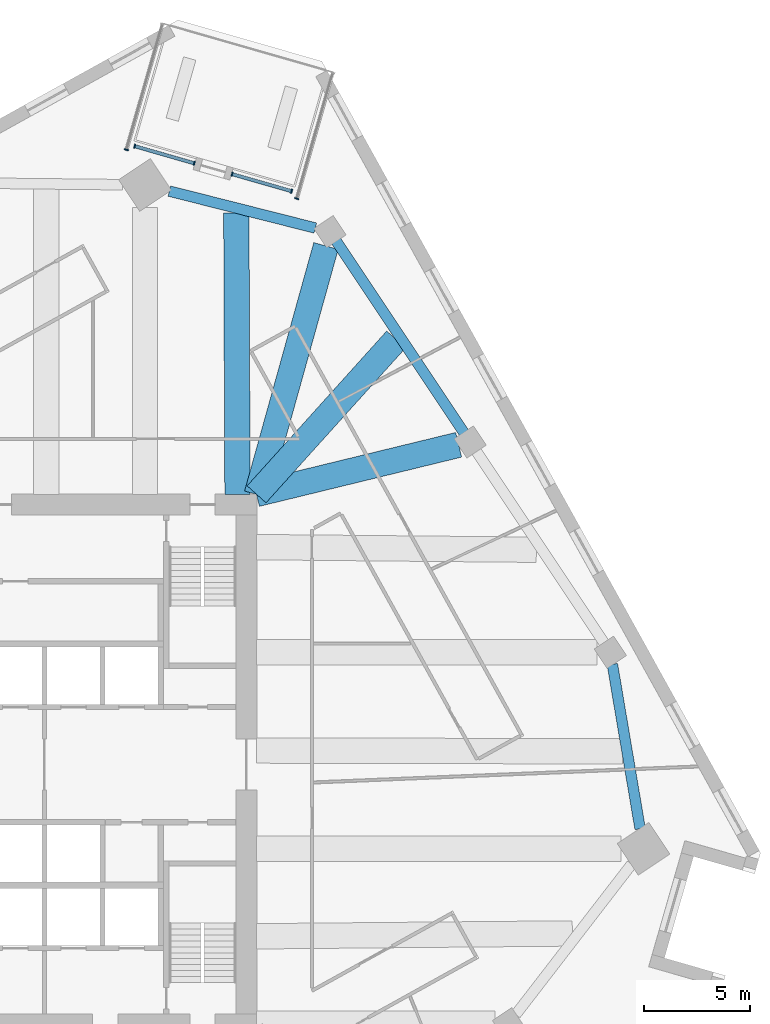
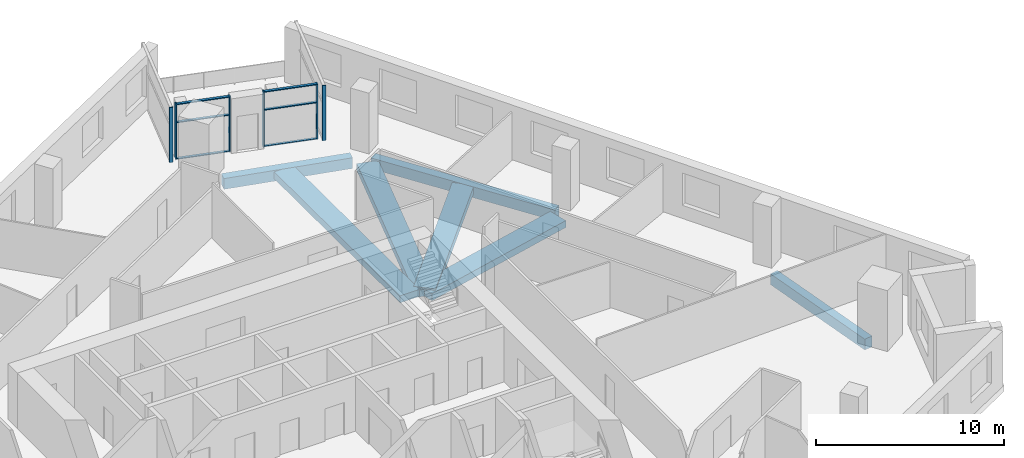
# One storey, part 2 of 12: 12 members, 7 beams, 4 elements without a shape of their own.
"""IFC4 building model written with IfcOpenShell, lengths in metres."""

from ifc_helpers import new_model, si_unit, direction, frame, origin, origin_2d, place, context, subcontext, project, spatial, rectangle, extrude, material, material_profile, profile_set, type_object, element, aggregate, save


model = new_model("IFC4")

# Units and contexts
model_context = context("Model", 3, precision=1e-05, world=origin(), true_north=direction((0.0, 1.0)))
body_context = subcontext(model_context, "Body", "Model", "MODEL_VIEW")
ifc_project = project(units=[si_unit("LENGTHUNIT", "METRE"), si_unit("AREAUNIT", "SQUARE_METRE"), si_unit("VOLUMEUNIT", "CUBIC_METRE"), si_unit("PLANEANGLEUNIT", "RADIAN"), si_unit("MASSUNIT", "GRAM", prefix="KILO")], contexts=[model_context])

# Site, building, storey
site_placement = place(None, origin())
site = spatial("IfcSite", under=ifc_project, at=site_placement, CompositionType="ELEMENT")
building_placement = place(site_placement, origin())
building = spatial("IfcBuilding", under=site, at=building_placement, Name="Dilmun Exchange Tower", CompositionType="ELEMENT")
storey_placement = place(building_placement, frame((0.0, 0.0, 139.699951171875)))
storey = spatial("IfcBuildingStorey", under=building, at=storey_placement, Name="L32", CompositionType="ELEMENT", Elevation=139.699951171875)

# Curtain wall, member
ifc_material_1 = material(Name="Anodised aluminium and clear glass", Category="aluminium")
curtain_wall_type = type_object("IfcCurtainWallType", Name="Garden corner glazing", PredefinedType="NOTDEFINED", material=ifc_material_1)
curtain_wall_1_placement = place(storey_placement, origin())
curtain_wall_1 = element("IfcCurtainWall", 1, at=curtain_wall_1_placement, inside=storey, type_object=curtain_wall_type, Name="Garden corner glazing run GC1.1", PredefinedType="NOTDEFINED")
ifc_material_2 = material(Name="Anodised aluminium", Category="aluminium")
ifc_material_profile_1 = material_profile(ifc_material_2, rectangle(XDim=0.199951171875, YDim=0.06005859375, at=origin_2d()), Name="AL 60x200")
ifc_profile_set_1 = profile_set([ifc_material_profile_1], Name="Anodised aluminium")
member_type_1 = type_object("IfcMemberType", Name="Garden corner glazing mullion 60 x 200", PredefinedType="MULLION", material=ifc_profile_set_1)
member_1_placement = place(storey_placement, frame((14.680908203125, 26.765625, 0.0), z_axis=(0.0, 0.0, 1.0), x_axis=(0.961263137899, -0.275632327054, 0.0)))
member_1 = element("IfcMember", 2, at=member_1_placement, type_object=member_type_1, Name="GC1.1 mullion 2", PredefinedType="MULLION", context=body_context, shape_type="SweptSolid", body=[
    extrude(rectangle(XDim=0.199951171875, YDim=0.06005859375, at=origin_2d()), origin(), (0.0, 0.0, 1.0), 3.60009765625),
])
aggregate(curtain_wall_1, [member_1])

# Curtain wall, members
curtain_wall_2_placement = place(storey_placement, origin())
curtain_wall_2 = element("IfcCurtainWall", 3, at=curtain_wall_2_placement, inside=storey, type_object=curtain_wall_type, Name="Garden corner glazing run GC2.1", PredefinedType="NOTDEFINED")
member_2_placement = place(storey_placement, frame((14.438232421875, 27.115966796875, 0.0), z_axis=(0.0, 0.0, 1.0), x_axis=(-0.275666563186, -0.96125332038, 0.0)))
member_2 = element("IfcMember", 4, at=member_2_placement, type_object=member_type_1, Name="GC2.1 mullion 1", PredefinedType="MULLION", context=body_context, shape_type="SweptSolid", body=[
    extrude(rectangle(XDim=0.199951171875, YDim=0.06005859375, at=origin_2d()), origin(), (0.0, 0.0, 1.0), 3.60009765625),
])
member_3_placement = place(storey_placement, frame((11.62255859375, 27.92333984375, 0.0), z_axis=(0.0, 0.0, 1.0), x_axis=(-0.275666563186, -0.96125332038, 0.0)))
member_3 = element("IfcMember", 5, at=member_3_placement, type_object=member_type_1, Name="GC2.1 mullion 2", PredefinedType="MULLION", context=body_context, shape_type="SweptSolid", body=[
    extrude(rectangle(XDim=0.199951171875, YDim=0.06005859375, at=origin_2d()), origin(), (0.0, 0.0, 1.0), 3.60009765625),
])

curtain_wall_3_placement = place(storey_placement, origin())
curtain_wall_3 = element("IfcCurtainWall", 6, at=curtain_wall_3_placement, inside=storey, type_object=curtain_wall_type, Name="Garden corner glazing run GC2.3", PredefinedType="NOTDEFINED")
member_4_placement = place(storey_placement, frame((9.83447265625, 28.43603515625, 0.0), z_axis=(0.0, 0.0, 1.0), x_axis=(-0.275635650366, -0.961262184967, 0.0)))
member_4 = element("IfcMember", 7, at=member_4_placement, type_object=member_type_1, Name="GC2.3 mullion 1", PredefinedType="MULLION", context=body_context, shape_type="SweptSolid", body=[
    extrude(rectangle(XDim=0.199951171875, YDim=0.06005859375, at=origin_2d()), origin(), (0.0, 0.0, 1.0), 3.60009765625),
])
member_5_placement = place(storey_placement, frame((7.01904296875, 29.243408203125, 0.0), z_axis=(0.0, 0.0, 1.0), x_axis=(-0.275635650366, -0.961262184967, 0.0)))
member_5 = element("IfcMember", 8, at=member_5_placement, type_object=member_type_1, Name="GC2.3 mullion 2", PredefinedType="MULLION", context=body_context, shape_type="SweptSolid", body=[
    extrude(rectangle(XDim=0.199951171875, YDim=0.06005859375, at=origin_2d()), origin(), (0.0, 0.0, 1.0), 3.60009765625),
])

# Curtain wall, member
curtain_wall_4_placement = place(storey_placement, origin())
curtain_wall_4 = element("IfcCurtainWall", 9, at=curtain_wall_4_placement, inside=storey, type_object=curtain_wall_type, Name="Garden corner glazing run GC3.1", PredefinedType="NOTDEFINED")
member_6_placement = place(storey_placement, frame((6.62744140625, 29.074951171875, 0.0), z_axis=(0.0, 0.0, 1.0), x_axis=(-0.961264354152, 0.275628085354, 0.0)))
member_6 = element("IfcMember", 10, at=member_6_placement, type_object=member_type_1, Name="GC3.1 mullion 1", PredefinedType="MULLION", context=body_context, shape_type="SweptSolid", body=[
    extrude(rectangle(XDim=0.199951171875, YDim=0.06005859375, at=origin_2d()), origin(), (0.0, 0.0, 1.0), 3.60009765625),
])
aggregate(curtain_wall_4, [member_6])

# Member
ifc_material_profile_2 = material_profile(ifc_material_2, rectangle(XDim=0.159912109375, YDim=0.06005859375, at=origin_2d()), Name="AL 60x160")
ifc_profile_set_2 = profile_set([ifc_material_profile_2], Name="Anodised aluminium")
member_type_2 = type_object("IfcMemberType", Name="Garden corner glazing transom 60 x 160", PredefinedType="USERDEFINED", material=ifc_profile_set_2)
member_7_placement = place(storey_placement, frame((14.409423828125, 27.124267578125, 0.030029296875), z_axis=(-0.961269871069, 0.275608844153, 0.0), x_axis=(-0.275608844153, -0.961269871069, 0.0)))
member_7 = element("IfcMember", 11, at=member_7_placement, type_object=member_type_2, Name="GC2.1 transom 1.1", ObjectType="TRANSOM", PredefinedType="USERDEFINED", context=body_context, shape_type="SweptSolid", body=[
    extrude(rectangle(XDim=0.159912109375, YDim=0.06005859375, at=origin_2d()), origin(), (0.0, 0.0, 1.0), 2.869140625),
])

member_8_placement = place(storey_placement, frame((14.409423828125, 27.124267578125, 2.400146484375), z_axis=(-0.961269871069, 0.275608844153, 0.0), x_axis=(-0.275608844153, -0.961269871069, 0.0)))
member_8 = element("IfcMember", 12, at=member_8_placement, type_object=member_type_2, Name="GC2.1 transom 1.2", ObjectType="TRANSOM", PredefinedType="USERDEFINED", context=body_context, shape_type="SweptSolid", body=[
    extrude(rectangle(XDim=0.159912109375, YDim=0.06005859375, at=origin_2d()), origin(), (0.0, 0.0, 1.0), 2.869140625),
])

member_9_placement = place(storey_placement, frame((14.409423828125, 27.124267578125, 3.570068359375), z_axis=(-0.961269871069, 0.275608844153, 0.0), x_axis=(-0.275608844153, -0.961269871069, 0.0)))
member_9 = element("IfcMember", 13, at=member_9_placement, type_object=member_type_2, Name="GC2.1 transom 1.3", ObjectType="TRANSOM", PredefinedType="USERDEFINED", context=body_context, shape_type="SweptSolid", body=[
    extrude(rectangle(XDim=0.159912109375, YDim=0.06005859375, at=origin_2d()), origin(), (0.0, 0.0, 1.0), 2.869140625),
])

aggregate(curtain_wall_2, [member_2, member_3, member_7, member_8, member_9])

member_10_placement = place(storey_placement, frame((9.8056640625, 28.4443359375, 0.030029296875), z_axis=(-0.961263406765, 0.275631389387, 0.0), x_axis=(-0.275631389387, -0.961263406765, 0.0)))
member_10 = element("IfcMember", 14, at=member_10_placement, type_object=member_type_2, Name="GC2.3 transom 1.1", ObjectType="TRANSOM", PredefinedType="USERDEFINED", context=body_context, shape_type="SweptSolid", body=[
    extrude(rectangle(XDim=0.159912109375, YDim=0.06005859375, at=origin_2d()), origin(), (0.0, 0.0, 1.0), 2.868896484375),
])

member_11_placement = place(storey_placement, frame((9.8056640625, 28.4443359375, 2.400146484375), z_axis=(-0.961263406765, 0.275631389387, 0.0), x_axis=(-0.275631389387, -0.961263406765, 0.0)))
member_11 = element("IfcMember", 15, at=member_11_placement, type_object=member_type_2, Name="GC2.3 transom 1.2", ObjectType="TRANSOM", PredefinedType="USERDEFINED", context=body_context, shape_type="SweptSolid", body=[
    extrude(rectangle(XDim=0.159912109375, YDim=0.06005859375, at=origin_2d()), origin(), (0.0, 0.0, 1.0), 2.868896484375),
])

member_12_placement = place(storey_placement, frame((9.8056640625, 28.4443359375, 3.570068359375), z_axis=(-0.961263406765, 0.275631389387, 0.0), x_axis=(-0.275631389387, -0.961263406765, 0.0)))
member_12 = element("IfcMember", 16, at=member_12_placement, type_object=member_type_2, Name="GC2.3 transom 1.3", ObjectType="TRANSOM", PredefinedType="USERDEFINED", context=body_context, shape_type="SweptSolid", body=[
    extrude(rectangle(XDim=0.159912109375, YDim=0.06005859375, at=origin_2d()), origin(), (0.0, 0.0, 1.0), 2.868896484375),
])

aggregate(curtain_wall_3, [member_4, member_5, member_10, member_11, member_12])

# Beams
ifc_material_3 = material(Name="Concrete C40/50", Category="concrete")
ifc_material_profile_3 = material_profile(ifc_material_3, rectangle(XDim=1.199951171875, YDim=0.449951171875, at=origin_2d()), Name="1200 x 450")
ifc_profile_set_3 = profile_set([ifc_material_profile_3], Name="Concrete C40/50")
beam_type_1 = type_object("IfcBeamType", Name="RC band beam 1200 x 450 C40/50", PredefinedType="BEAM", material=ifc_profile_set_3)
beam_1_placement = place(storey_placement, frame((22.33837890625, 15.122802734375, -0.724853515625), z_axis=(-0.971607999859, -0.236596480554, 0.0), x_axis=(0.236596480554, -0.971607999859, 0.0)))
element("IfcBeam", 17, at=beam_1_placement, inside=storey, type_object=beam_type_1, Name="Band beam 15", PredefinedType="BEAM", context=body_context, shape_type="SweptSolid", body=[
    extrude(rectangle(XDim=1.199951171875, YDim=0.449951171875, at=origin_2d()), origin(), (0.0, 0.0, 1.0), 9.84423828125),
])
beam_2_placement = place(storey_placement, frame((16.064453125, 24.524658203125, -0.724853515625), z_axis=(-0.268225004284, -0.963356292904, 0.0), x_axis=(0.963356292904, -0.268225004284, 0.0)))
element("IfcBeam", 18, at=beam_2_placement, inside=storey, type_object=beam_type_1, Name="Band beam 16", PredefinedType="BEAM", context=body_context, shape_type="SweptSolid", body=[
    extrude(rectangle(XDim=1.199951171875, YDim=0.449951171875, at=origin_2d()), origin(), (0.0, 0.0, 1.0), 12.19775390625),
])
beam_3_placement = place(storey_placement, frame((19.381103515625, 20.102783203125, -0.625), z_axis=(-0.669462647611, -0.742845719819, 0.0), x_axis=(0.742845719819, -0.669462647611, 0.0)))
element("IfcBeam", 19, at=beam_3_placement, inside=storey, type_object=beam_type_1, Name="Band beam 31", PredefinedType="BEAM", context=body_context, shape_type="SweptSolid", body=[
    extrude(rectangle(XDim=1.199951171875, YDim=0.449951171875, at=origin_2d()), origin(), (0.0, 0.0, 1.0), 9.857666015625),
])
beam_4_placement = place(storey_placement, frame((11.82421875, 26.087890625, -0.625), z_axis=(0.004107193345, -0.999991565446, 0.0), x_axis=(0.999991565446, 0.004107193345, 0.0)))
element("IfcBeam", 20, at=beam_4_placement, inside=storey, type_object=beam_type_1, Name="Band beam 32", PredefinedType="BEAM", context=body_context, shape_type="SweptSolid", body=[
    extrude(rectangle(XDim=1.199951171875, YDim=0.449951171875, at=origin_2d()), origin(), (0.0, 0.0, 1.0), 13.31494140625),
])
ifc_material_profile_4 = material_profile(ifc_material_3, rectangle(XDim=0.5, YDim=0.699951171875, at=origin_2d()), Name="500 x 700")
ifc_profile_set_4 = profile_set([ifc_material_profile_4], Name="Concrete C40/50")
beam_type_2 = type_object("IfcBeamType", Name="RC ring beam 500 x 700 C40/50", PredefinedType="SPANDREL", material=ifc_profile_set_4)
beam_5_placement = place(storey_placement, frame((30.91943359375, -3.036376953125, -0.75), z_axis=(-0.166485785433, 0.986043854628, 0.0), x_axis=(-0.986043854628, -0.166485785433, 0.0)))
element("IfcBeam", 21, at=beam_5_placement, inside=storey, type_object=beam_type_2, Name="Ring beam 13", PredefinedType="SPANDREL", context=body_context, shape_type="SweptSolid", body=[
    extrude(rectangle(XDim=0.5, YDim=0.699951171875, at=origin_2d()), origin(), (0.0, 0.0, 1.0), 7.890869140625),
])
beam_6_placement = place(storey_placement, frame((22.5908203125, 15.690185546875, -0.75), z_axis=(-0.554731197186, 0.832029626196, 0.0), x_axis=(-0.832029626196, -0.554731197186, 0.0)))
element("IfcBeam", 22, at=beam_6_placement, inside=storey, type_object=beam_type_2, Name="Ring beam 15", PredefinedType="SPANDREL", context=body_context, shape_type="SweptSolid", body=[
    extrude(rectangle(XDim=0.5, YDim=0.699951171875, at=origin_2d()), origin(), (0.0, 0.0, 1.0), 10.904052734375),
])
beam_7_placement = place(storey_placement, frame((15.559326171875, 25.373291015625, -0.75), z_axis=(-0.96947736899, 0.245180812903, 0.0), x_axis=(-0.245180812903, -0.96947736899, 0.0)))
element("IfcBeam", 23, at=beam_7_placement, inside=storey, type_object=beam_type_2, Name="Ring beam 16", PredefinedType="SPANDREL", context=body_context, shape_type="SweptSolid", body=[
    extrude(rectangle(XDim=0.5, YDim=0.699951171875, at=origin_2d()), origin(), (0.0, 0.0, 1.0), 7.12060546875),
])

save(model, "model.ifc")
